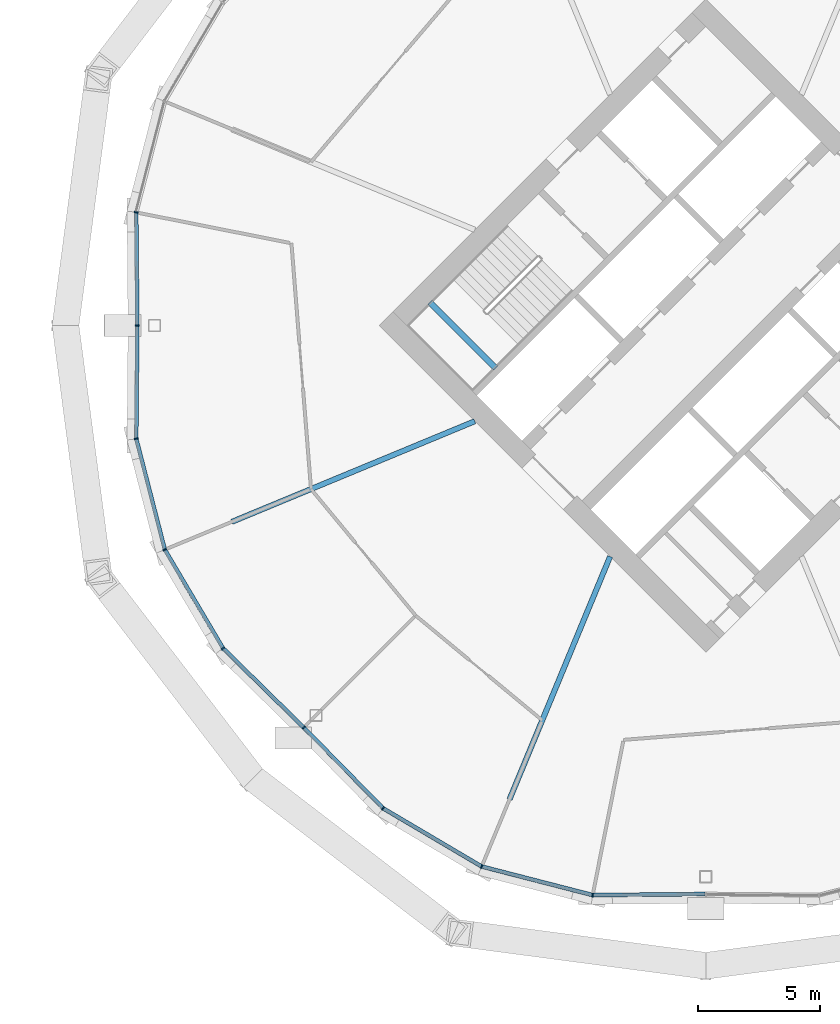
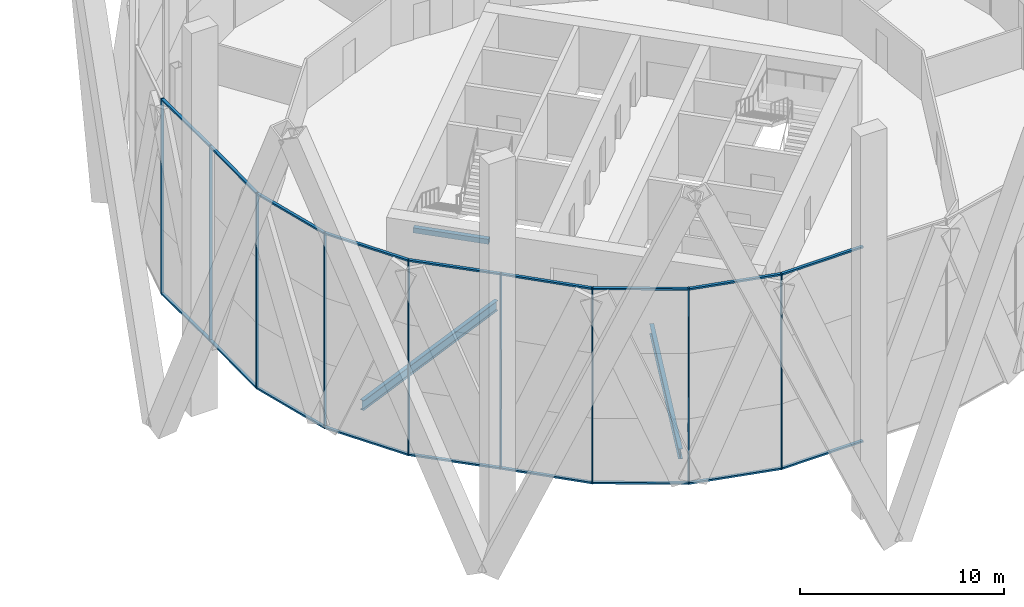
# One storey, part 9 of 26: 27 members, 3 beams, 3 elements without a shape of their own.
"""IFC4 building model written with IfcOpenShell, lengths in metres."""

import ifcopenshell
import ifcopenshell.guid

model = None  # the IFC model being written
_history = None  # IfcOwnerHistory: only IFC2X3 demands one
_inside = {}  # id of a spatial element -> (the spatial element, [elements in it])
_under = {}  # id of a project, library or spatial element -> (it, [spatial elements below it])
_declared = {}  # id of a project -> (the project, [libraries it declares])
_typed = {}  # id of a type object -> (the type object, [elements of that type])
_made_of = {}  # id of a material, layer set ... -> (it, [elements and type objects made of it])


def new_model(schema):
    """Start an empty IFC model of exactly this schema.

    Asked for "IFC4X3", IfcOpenShell would pick the latest addendum, in which some entities
    have other attributes; the version numbers below select the first issue.
    IFC2X3 requires an IfcOwnerHistory on every rooted entity: one is made here for all.
    """
    global model, _history
    if schema == "IFC4X3":
        model = ifcopenshell.file(schema_version=(4, 3, 0, 0))
    else:
        model = ifcopenshell.file(schema=schema)
    _inside.clear()
    _under.clear()
    _declared.clear()
    _typed.clear()
    _made_of.clear()
    _history = None
    if model.schema == "IFC2X3":
        org = make("IfcOrganization", Name="unknown")
        user = make(
            "IfcPersonAndOrganization",
            ThePerson=make("IfcPerson", FamilyName="unknown"),
            TheOrganization=org,
        )
        app = make(
            "IfcApplication",
            ApplicationDeveloper=org,
            Version="unknown",
            ApplicationFullName="unknown",
            ApplicationIdentifier="unknown",
        )
        _history = make(
            "IfcOwnerHistory",
            OwningUser=user,
            OwningApplication=app,
            ChangeAction="ADDED",
            CreationDate=0,
        )
    return model


def make(cls, **values):
    """One entity of the class cls with the attributes given. An attribute that is None is left unset."""
    return model.create_entity(
        cls, **{name: value for name, value in values.items() if value is not None}
    )


def rooted(cls, **values):
    """An entity with a GlobalId (a new one), such as an element, a storey or a relation."""
    return make(cls, GlobalId=ifcopenshell.guid.new(), OwnerHistory=_history, **values)


def si_unit(unit_type, name, prefix=None):
    """IfcSIUnit, for example si_unit("LENGTHUNIT", "METRE", prefix="MILLI")."""
    return make("IfcSIUnit", UnitType=unit_type, Prefix=prefix, Name=name)


def assignment(units):
    """IfcUnitAssignment: the units of a project."""
    return None if units is None else make("IfcUnitAssignment", Units=units)


def point(xyz):
    """IfcCartesianPoint."""
    return None if xyz is None else make("IfcCartesianPoint", Coordinates=xyz)


def direction(xyz):
    """IfcDirection."""
    return None if xyz is None else make("IfcDirection", DirectionRatios=xyz)


def frame(location, z_axis=None, x_axis=None):
    """IfcAxis2Placement3D, a coordinate frame: its origin and axes. An axis left out is left unset."""
    return make(
        "IfcAxis2Placement3D",
        Location=point(location),
        Axis=direction(z_axis),
        RefDirection=direction(x_axis),
    )


def frame_2d(location, x_axis=None):
    """IfcAxis2Placement2D, a coordinate frame in the plane: its origin and x axis."""
    return make(
        "IfcAxis2Placement2D", Location=point(location), RefDirection=direction(x_axis)
    )


def origin():
    """The frame at (0, 0, 0) with its axes left unset."""
    return frame((0.0, 0.0, 0.0))


def origin_2d():
    """The frame at (0, 0) in the plane with its x axis left unset."""
    return frame_2d((0.0, 0.0))


def place(relative_to, where):
    """IfcLocalPlacement: puts the frame where relative to a parent placement (None: the world)."""
    return make(
        "IfcLocalPlacement", PlacementRelTo=relative_to, RelativePlacement=where
    )


def context(
    kind, dimensions, precision=None, world=None, true_north=None, identifier=None
):
    """IfcGeometricRepresentationContext, for example the 3D "Model" context."""
    return make(
        "IfcGeometricRepresentationContext",
        ContextIdentifier=identifier,
        ContextType=kind,
        CoordinateSpaceDimension=dimensions,
        Precision=precision,
        WorldCoordinateSystem=world,
        TrueNorth=true_north,
    )


def subcontext(parent, identifier, kind, view, scale=None):
    """IfcGeometricRepresentationSubContext, for example "Body" below "Model"."""
    return make(
        "IfcGeometricRepresentationSubContext",
        ContextIdentifier=identifier,
        ContextType=kind,
        ParentContext=parent,
        TargetScale=scale,
        TargetView=view,
    )


def project(units=None, contexts=None):
    """IfcProject with its units and contexts."""
    return rooted(
        "IfcProject",
        Name="project",
        RepresentationContexts=contexts,
        UnitsInContext=assignment(units),
    )


def spatial(cls, under=None, at=None, **own):
    """A site, building, storey or space (cls), placed at a placement, below another one or the project."""
    s = rooted(cls, ObjectPlacement=at, **own)
    if under is not None:
        _under.setdefault(under.id(), (under, []))[1].append(s)
    return s


def profile(cls, at=None, kind="AREA", **sizes):
    """A parametric profile (cls). Its sizes go by their IFC names, for example OverallWidth=200.0."""
    return make(cls, ProfileType=kind, Position=at, **sizes)


def rectangle(**sizes):
    """IfcRectangleProfileDef."""
    return profile("IfcRectangleProfileDef", **sizes)


def i_section(**sizes):
    """IfcIShapeProfileDef."""
    return profile("IfcIShapeProfileDef", **sizes)


def extrude(swept, where, along, depth):
    """IfcExtrudedAreaSolid: the profile swept, set in the frame where, extruded along a direction by depth."""
    return make(
        "IfcExtrudedAreaSolid",
        SweptArea=swept,
        Position=where,
        ExtrudedDirection=direction(along),
        Depth=depth,
    )


def shape(context_of_items, identifier, shape_type, items):
    """IfcShapeRepresentation: the items that make up one representation, for example the "Body"."""
    return make(
        "IfcShapeRepresentation",
        ContextOfItems=context_of_items,
        RepresentationIdentifier=identifier,
        RepresentationType=shape_type,
        Items=items,
    )


def material(Name=None, Category=None):
    """IfcMaterial."""
    return make("IfcMaterial", Name=Name, Category=Category)


def material_profile(
    of_material, cross_section, Name=None, Category=None, Priority=None
):
    """IfcMaterialProfile: a cross section and its material."""
    return make(
        "IfcMaterialProfile",
        Name=Name,
        Material=of_material,
        Profile=cross_section,
        Priority=Priority,
        Category=Category,
    )


def profile_set(profiles, Name=None, composite=None):
    """IfcMaterialProfileSet."""
    return make(
        "IfcMaterialProfileSet",
        Name=Name,
        MaterialProfiles=profiles,
        CompositeProfile=composite,
    )


def made_of(thing, what):
    """Note that an element or type object is made of a material, layer set ...; save() writes the relation."""
    if what is not None:
        _made_of.setdefault(what.id(), (what, []))[1].append(thing)
    return thing


def type_object(cls, material=None, **own):
    """A type object (cls), such as IfcWallType, which elements share."""
    return made_of(rooted(cls, **own), material)


def element(
    cls,
    number,
    at=None,
    inside=None,
    cuts=None,
    type_object=None,
    material=None,
    context=None,
    identifier="Body",
    shape_type=None,
    held_by="IfcProductDefinitionShape",
    body=None,
    shapes=None,
    **own,
):
    """One element of the class cls, such as IfcWall. Its Tag is "e" and its number.

    at: its placement. inside: the storey or other place that contains it. cuts: it is an
    opening in that element (IfcRelVoidsElement). A single representation is given by context,
    identifier, shape_type and body (its items); several are given by shapes. held_by: the class
    of the entity that holds the representations. save() writes the other relations.
    """
    e = rooted(cls, Tag="e%d" % number, ObjectPlacement=at, **own)
    if body is not None:
        shapes = [shape(context, identifier, shape_type, body)]
    if shapes is not None:
        e.Representation = make(held_by, Representations=shapes)
    if inside is not None:
        _inside.setdefault(inside.id(), (inside, []))[1].append(e)
    if cuts is not None:
        rooted(
            "IfcRelVoidsElement", RelatingBuildingElement=cuts, RelatedOpeningElement=e
        )
    if type_object is not None:
        _typed.setdefault(type_object.id(), (type_object, []))[1].append(e)
    return made_of(e, material)


def aggregate(whole, parts):
    """IfcRelAggregates: a whole, such as a stair, and the parts it consists of."""
    return rooted("IfcRelAggregates", RelatingObject=whole, RelatedObjects=parts)


def save(model, path):
    """Write the relations noted so far, then the file.

    IfcRelAggregates (storeys below a building ...), IfcRelContainedInSpatialStructure (elements
    in a storey), IfcRelDefinesByType, IfcRelAssociatesMaterial and IfcRelDeclares: one each for
    every whole, place, type object, material and project.
    """
    for whole, parts in _under.values():
        aggregate(whole, parts)
    for where, things in _inside.values():
        rooted(
            "IfcRelContainedInSpatialStructure",
            RelatedElements=things,
            RelatingStructure=where,
        )
    for kind, things in _typed.values():
        rooted("IfcRelDefinesByType", RelatedObjects=things, RelatingType=kind)
    for what, things in _made_of.values():
        rooted("IfcRelAssociatesMaterial", RelatedObjects=things, RelatingMaterial=what)
    for by, libraries in _declared.values():
        rooted("IfcRelDeclares", RelatingContext=by, RelatedDefinitions=libraries)
    model.write(path)


model = new_model("IFC4")

# Units and contexts
model_context = context("Model", 3, precision=1e-05, world=origin(), true_north=direction((0.0, 1.0)))
body_context = subcontext(model_context, "Body", "Model", "MODEL_VIEW")
ifc_project = project(units=[si_unit("LENGTHUNIT", "METRE"), si_unit("AREAUNIT", "SQUARE_METRE"), si_unit("VOLUMEUNIT", "CUBIC_METRE"), si_unit("PLANEANGLEUNIT", "RADIAN"), si_unit("MASSUNIT", "GRAM", prefix="KILO")], contexts=[model_context])

# Site, building, storey
site_placement = place(None, origin())
site = spatial("IfcSite", under=ifc_project, at=site_placement, CompositionType="ELEMENT")
building_placement = place(site_placement, origin())
building = spatial("IfcBuilding", under=site, at=building_placement, Name="Ogive Gate Towers", CompositionType="ELEMENT")
storey_placement = place(building_placement, frame((0.0, 0.0, 76.199951171875)))
storey = spatial("IfcBuildingStorey", under=building, at=storey_placement, Name="L17", CompositionType="ELEMENT", Elevation=76.199951171875)

# Beams
ifc_material_1 = material(Name="Concrete C40/50", Category="concrete")
ifc_material_profile_1 = material_profile(ifc_material_1, rectangle(XDim=0.25, YDim=0.300048828125, at=origin_2d()), Name="RC 250x300")
ifc_profile_set_1 = profile_set([ifc_material_profile_1], Name="Concrete C40/50")
beam_type_1 = type_object("IfcBeamType", Name="Landing bearer RC 250x300", PredefinedType="BEAM", material=ifc_profile_set_1)
beam_placement = place(storey_placement, frame((24.650390625, 0.9541015625, 1.60009765625), z_axis=(0.707106781187, -0.707106781187, 0.0), x_axis=(0.707106781187, 0.707106781187, 0.0)))
element("IfcBeam", 1, at=beam_placement, inside=storey, type_object=beam_type_1, Name="T2 L17 stair 1 landing bearer 1", PredefinedType="BEAM", context=body_context, shape_type="SweptSolid", body=[
    extrude(rectangle(XDim=0.25, YDim=0.300048828125, at=origin_2d()), origin(), (0.0, 0.0, 1.0), 3.824951171875),
])
ifc_material_2 = material(Name="Steel SM355", Category="steel")
ifc_material_profile_2 = material_profile(ifc_material_2, i_section(OverallWidth=0.219970703125, OverallDepth=0.60009765625, WebThickness=0.011962890625, FlangeThickness=0.01904296875, FilletRadius=0.02392578125, at=origin_2d()), Name="IPE 600")
ifc_profile_set_2 = profile_set([ifc_material_profile_2], Name="Steel SM355")
beam_type_2 = type_object("IfcBeamType", Name="Radial floor beam IPE 600", PredefinedType="BEAM", material=ifc_profile_set_2)
for number, where, z_axis, x_axis, name in (
    (2, (32.06494140625, -9.5, -0.599853515625), (-0.382675609774, -0.923882772696, 0.0), (0.923882772696, -0.382675609774, 0.0), "T2/L17/SBM001"),
    (3, (26.5, -3.93505859375, -0.599853515625), (-0.923882772696, -0.382675609774, 0.0), (0.382675609774, -0.923882772696, 0.0), "T2/L17/SBM008"),
):
    element("IfcBeam", number, at=place(storey_placement, frame(where, z_axis=z_axis, x_axis=x_axis)), inside=storey, type_object=beam_type_2, Name=name, PredefinedType="BEAM", context=body_context, shape_type="SweptSolid", body=[
        extrude(i_section(OverallWidth=0.219970703125, OverallDepth=0.60009765625, WebThickness=0.011962890625, FlangeThickness=0.01904296875, FilletRadius=0.02392578125, at=origin_2d()), origin(), (0.0, 0.0, 1.0), 10.809326171875),
    ])

# Curtain wall, members
ifc_material_3 = material(Name="Pale metal aluminium", Category="aluminium")
curtain_wall_type = type_object("IfcCurtainWallType", Name="Tower unitised wall, low zone", PredefinedType="NOTDEFINED", material=ifc_material_3)
curtain_wall_1_placement = place(storey_placement, origin())
curtain_wall_1 = element("IfcCurtainWall", 4, at=curtain_wall_1_placement, inside=storey, type_object=curtain_wall_type, Name="CW1 T2 ECW04", PredefinedType="NOTDEFINED")
ifc_material_profile_3 = material_profile(ifc_material_3, rectangle(XDim=0.159912109375, YDim=0.06005859375, at=origin_2d()), Name="60 x 160 aluminium box")
ifc_profile_set_3 = profile_set([ifc_material_profile_3], Name="Pale metal aluminium")
member_type_1 = type_object("IfcMemberType", Name="Tower unitised wall, low zone mullion 60 x 160", PredefinedType="MULLION", material=ifc_profile_set_3)
member_1_placement = place(storey_placement, frame((12.5771484375, 4.653076171875, -0.300048828125), z_axis=(0.0, 0.0, 1.0), x_axis=(-0.992635219858, 0.121141736398, 0.0)))
member_1 = element("IfcMember", 5, at=member_1_placement, type_object=member_type_1, Name="CW1 mullion", PredefinedType="MULLION", context=body_context, shape_type="SweptSolid", body=[
    extrude(rectangle(XDim=0.159912109375, YDim=0.06005859375, at=origin_2d()), origin(), (0.0, 0.0, 1.0), 11.7001953125),
])
member_2_placement = place(storey_placement, frame((12.6201171875, 0.000244140625, -0.300048828125), z_axis=(0.0, 0.0, 1.0), x_axis=(-0.999957699753, -0.009197755467, 0.0)))
member_2 = element("IfcMember", 6, at=member_2_placement, type_object=member_type_1, Name="CW1 mullion", PredefinedType="MULLION", context=body_context, shape_type="SweptSolid", body=[
    extrude(rectangle(XDim=0.159912109375, YDim=0.06005859375, at=origin_2d()), origin(), (0.0, 0.0, 1.0), 11.7001953125),
])

curtain_wall_2_placement = place(storey_placement, origin())
curtain_wall_2 = element("IfcCurtainWall", 7, at=curtain_wall_2_placement, inside=storey, type_object=curtain_wall_type, Name="CW1 T2 ECW05", PredefinedType="NOTDEFINED")
member_3_placement = place(storey_placement, frame((12.5771484375, -4.653076171875, -0.300048828125), z_axis=(0.0, 0.0, 1.0), x_axis=(-0.992635219858, -0.121141736398, 0.0)))
member_3 = element("IfcMember", 8, at=member_3_placement, type_object=member_type_1, Name="CW1 mullion", PredefinedType="MULLION", context=body_context, shape_type="SweptSolid", body=[
    extrude(rectangle(XDim=0.159912109375, YDim=0.06005859375, at=origin_2d()), origin(), (0.0, 0.0, 1.0), 11.7001953125),
])
member_4_placement = place(storey_placement, frame((13.752197265625, -9.21533203125, -0.300048828125), z_axis=(0.0, 0.0, 1.0), x_axis=(-0.923879532511, -0.382683432365, 0.0)))
member_4 = element("IfcMember", 9, at=member_4_placement, type_object=member_type_1, Name="CW1 mullion", PredefinedType="MULLION", context=body_context, shape_type="SweptSolid", body=[
    extrude(rectangle(XDim=0.159912109375, YDim=0.06005859375, at=origin_2d()), origin(), (0.0, 0.0, 1.0), 11.7001953125),
])
member_5_placement = place(storey_placement, frame((16.1474609375, -13.2724609375, -0.300048828125), z_axis=(0.0, 0.0, 1.0), x_axis=(-0.787559238498, -0.616238951915, 0.0)))
member_5 = element("IfcMember", 10, at=member_5_placement, type_object=member_type_1, Name="CW1 mullion", PredefinedType="MULLION", context=body_context, shape_type="SweptSolid", body=[
    extrude(rectangle(XDim=0.159912109375, YDim=0.06005859375, at=origin_2d()), origin(), (0.0, 0.0, 1.0), 11.7001953125),
])
member_6_placement = place(storey_placement, frame((19.4677734375, -16.531982421875, -0.300048828125), z_axis=(0.0, 0.0, 1.0), x_axis=(-0.700585529358, -0.713568438241, 0.0)))
member_6 = element("IfcMember", 11, at=member_6_placement, type_object=member_type_1, Name="CW1 mullion", PredefinedType="MULLION", context=body_context, shape_type="SweptSolid", body=[
    extrude(rectangle(XDim=0.159912109375, YDim=0.06005859375, at=origin_2d()), origin(), (0.0, 0.0, 1.0), 11.7001953125),
])

curtain_wall_3_placement = place(storey_placement, origin())
curtain_wall_3 = element("IfcCurtainWall", 12, at=curtain_wall_3_placement, inside=storey, type_object=curtain_wall_type, Name="CW1 T2 ECW06", PredefinedType="NOTDEFINED")
member_7_placement = place(storey_placement, frame((22.7275390625, -19.8525390625, -0.300048828125), z_axis=(0.0, 0.0, 1.0), x_axis=(-0.616238951915, -0.787559238498, 0.0)))
member_7 = element("IfcMember", 13, at=member_7_placement, type_object=member_type_1, Name="CW1 mullion", PredefinedType="MULLION", context=body_context, shape_type="SweptSolid", body=[
    extrude(rectangle(XDim=0.159912109375, YDim=0.06005859375, at=origin_2d()), origin(), (0.0, 0.0, 1.0), 11.7001953125),
])
member_8_placement = place(storey_placement, frame((26.78466796875, -22.247802734375, -0.300048828125), z_axis=(0.0, 0.0, 1.0), x_axis=(-0.382683432365, -0.923879532511, 0.0)))
member_8 = element("IfcMember", 14, at=member_8_placement, type_object=member_type_1, Name="CW1 mullion", PredefinedType="MULLION", context=body_context, shape_type="SweptSolid", body=[
    extrude(rectangle(XDim=0.159912109375, YDim=0.06005859375, at=origin_2d()), origin(), (0.0, 0.0, 1.0), 11.7001953125),
])
member_9_placement = place(storey_placement, frame((31.346923828125, -23.4228515625, -0.300048828125), z_axis=(0.0, 0.0, 1.0), x_axis=(-0.121141736398, -0.992635219858, 0.0)))
member_9 = element("IfcMember", 15, at=member_9_placement, type_object=member_type_1, Name="CW1 mullion", PredefinedType="MULLION", context=body_context, shape_type="SweptSolid", body=[
    extrude(rectangle(XDim=0.159912109375, YDim=0.06005859375, at=origin_2d()), origin(), (0.0, 0.0, 1.0), 11.7001953125),
])

# Member
ifc_material_profile_4 = material_profile(ifc_material_3, rectangle(XDim=0.159912109375, YDim=0.10009765625, at=origin_2d()), Name="100 x 160 aluminium box")
ifc_profile_set_4 = profile_set([ifc_material_profile_4], Name="Pale metal aluminium")
member_type_2 = type_object("IfcMemberType", Name="Tower unitised wall, low zone transom 100 x 160", PredefinedType="USERDEFINED", material=ifc_profile_set_4)
member_10_placement = place(storey_placement, frame((12.577392578125, 4.62548828125, 11.35009765625), z_axis=(0.009190983574, -0.999957762018, 0.0), x_axis=(0.999957762018, 0.009190983574, 0.0)))
member_10 = element("IfcMember", 16, at=member_10_placement, type_object=member_type_2, Name="CW1 transom", ObjectType="TRANSOM", PredefinedType="USERDEFINED", context=body_context, shape_type="SweptSolid", body=[
    extrude(rectangle(XDim=0.159912109375, YDim=0.10009765625, at=origin_2d()), origin(), (0.0, 0.0, 1.0), 4.595458984375),
])

member_11_placement = place(storey_placement, frame((12.577392578125, 4.62548828125, -0.25), z_axis=(0.009190983574, -0.999957762018, 0.0), x_axis=(0.999957762018, 0.009190983574, 0.0)))
member_11 = element("IfcMember", 17, at=member_11_placement, type_object=member_type_2, Name="CW1 transom", ObjectType="TRANSOM", PredefinedType="USERDEFINED", context=body_context, shape_type="SweptSolid", body=[
    extrude(rectangle(XDim=0.159912109375, YDim=0.10009765625, at=origin_2d()), origin(), (0.0, 0.0, 1.0), 4.595458984375),
])

aggregate(curtain_wall_1, [member_1, member_2, member_10, member_11])

member_12_placement = place(storey_placement, frame((12.61962890625, -0.0302734375, 11.35009765625), z_axis=(-0.009190983574, -0.999957762018, 0.0), x_axis=(0.999957762018, -0.009190983574, 0.0)))
member_12 = element("IfcMember", 18, at=member_12_placement, type_object=member_type_2, Name="CW1 transom", ObjectType="TRANSOM", PredefinedType="USERDEFINED", context=body_context, shape_type="SweptSolid", body=[
    extrude(rectangle(XDim=0.159912109375, YDim=0.10009765625, at=origin_2d()), origin(), (0.0, 0.0, 1.0), 4.595458984375),
])

member_13_placement = place(storey_placement, frame((12.61962890625, -0.0302734375, -0.25), z_axis=(-0.009190983574, -0.999957762018, 0.0), x_axis=(0.999957762018, -0.009190983574, 0.0)))
member_13 = element("IfcMember", 19, at=member_13_placement, type_object=member_type_2, Name="CW1 transom", ObjectType="TRANSOM", PredefinedType="USERDEFINED", context=body_context, shape_type="SweptSolid", body=[
    extrude(rectangle(XDim=0.159912109375, YDim=0.10009765625, at=origin_2d()), origin(), (0.0, 0.0, 1.0), 4.595458984375),
])

member_14_placement = place(storey_placement, frame((12.583984375, -4.679443359375, 11.35009765625), z_axis=(0.249437215612, -0.968390972422, 0.0), x_axis=(0.968390972422, 0.249437215612, 0.0)))
member_14 = element("IfcMember", 20, at=member_14_placement, type_object=member_type_2, Name="CW1 transom", ObjectType="TRANSOM", PredefinedType="USERDEFINED", context=body_context, shape_type="SweptSolid", body=[
    extrude(rectangle(XDim=0.159912109375, YDim=0.10009765625, at=origin_2d()), origin(), (0.0, 0.0, 1.0), 4.656982421875),
])

member_15_placement = place(storey_placement, frame((12.583984375, -4.679443359375, -0.25), z_axis=(0.249437215612, -0.968390972422, 0.0), x_axis=(0.968390972422, 0.249437215612, 0.0)))
member_15 = element("IfcMember", 21, at=member_15_placement, type_object=member_type_2, Name="CW1 transom", ObjectType="TRANSOM", PredefinedType="USERDEFINED", context=body_context, shape_type="SweptSolid", body=[
    extrude(rectangle(XDim=0.159912109375, YDim=0.10009765625, at=origin_2d()), origin(), (0.0, 0.0, 1.0), 4.656982421875),
])

member_16_placement = place(storey_placement, frame((13.76611328125, -9.23876953125, 11.35009765625), z_axis=(0.508391904902, -0.861125816028, 0.0), x_axis=(0.861125816028, 0.508391904902, 0.0)))
member_16 = element("IfcMember", 22, at=member_16_placement, type_object=member_type_2, Name="CW1 transom", ObjectType="TRANSOM", PredefinedType="USERDEFINED", context=body_context, shape_type="SweptSolid", body=[
    extrude(rectangle(XDim=0.159912109375, YDim=0.10009765625, at=origin_2d()), origin(), (0.0, 0.0, 1.0), 4.65673828125),
])

member_17_placement = place(storey_placement, frame((13.76611328125, -9.23876953125, -0.25), z_axis=(0.508391904902, -0.861125816028, 0.0), x_axis=(0.861125816028, 0.508391904902, 0.0)))
member_17 = element("IfcMember", 23, at=member_17_placement, type_object=member_type_2, Name="CW1 transom", ObjectType="TRANSOM", PredefinedType="USERDEFINED", context=body_context, shape_type="SweptSolid", body=[
    extrude(rectangle(XDim=0.159912109375, YDim=0.10009765625, at=origin_2d()), origin(), (0.0, 0.0, 1.0), 4.65673828125),
])

member_18_placement = place(storey_placement, frame((16.1669921875, -13.29150390625, 11.35009765625), z_axis=(0.713584733888, -0.700568931342, 0.0), x_axis=(0.700568931342, 0.713584733888, 0.0)))
member_18 = element("IfcMember", 24, at=member_18_placement, type_object=member_type_2, Name="CW1 transom", ObjectType="TRANSOM", PredefinedType="USERDEFINED", context=body_context, shape_type="SweptSolid", body=[
    extrude(rectangle(XDim=0.159912109375, YDim=0.10009765625, at=origin_2d()), origin(), (0.0, 0.0, 1.0), 4.595458984375),
])

member_19_placement = place(storey_placement, frame((16.1669921875, -13.29150390625, -0.25), z_axis=(0.713584733888, -0.700568931342, 0.0), x_axis=(0.700568931342, 0.713584733888, 0.0)))
member_19 = element("IfcMember", 25, at=member_19_placement, type_object=member_type_2, Name="CW1 transom", ObjectType="TRANSOM", PredefinedType="USERDEFINED", context=body_context, shape_type="SweptSolid", body=[
    extrude(rectangle(XDim=0.159912109375, YDim=0.10009765625, at=origin_2d()), origin(), (0.0, 0.0, 1.0), 4.595458984375),
])

aggregate(curtain_wall_2, [member_3, member_12, member_13, member_4, member_14, member_15, member_5, member_16, member_17, member_6, member_18, member_19])

member_20_placement = place(storey_placement, frame((19.489013671875, -16.5537109375, 11.35009765625), z_axis=(0.700568931342, -0.713584733888, 0.0), x_axis=(0.713584733888, 0.700568931342, 0.0)))
member_20 = element("IfcMember", 26, at=member_20_placement, type_object=member_type_2, Name="CW1 transom", ObjectType="TRANSOM", PredefinedType="USERDEFINED", context=body_context, shape_type="SweptSolid", body=[
    extrude(rectangle(XDim=0.159912109375, YDim=0.10009765625, at=origin_2d()), origin(), (0.0, 0.0, 1.0), 4.595458984375),
])

member_21_placement = place(storey_placement, frame((19.489013671875, -16.5537109375, -0.25), z_axis=(0.700568931342, -0.713584733888, 0.0), x_axis=(0.713584733888, 0.700568931342, 0.0)))
member_21 = element("IfcMember", 27, at=member_21_placement, type_object=member_type_2, Name="CW1 transom", ObjectType="TRANSOM", PredefinedType="USERDEFINED", context=body_context, shape_type="SweptSolid", body=[
    extrude(rectangle(XDim=0.159912109375, YDim=0.10009765625, at=origin_2d()), origin(), (0.0, 0.0, 1.0), 4.595458984375),
])

member_22_placement = place(storey_placement, frame((22.751220703125, -19.866455078125, 11.35009765625), z_axis=(0.861125816028, -0.508391904902, 0.0), x_axis=(0.508391904902, 0.861125816028, 0.0)))
member_22 = element("IfcMember", 28, at=member_22_placement, type_object=member_type_2, Name="CW1 transom", ObjectType="TRANSOM", PredefinedType="USERDEFINED", context=body_context, shape_type="SweptSolid", body=[
    extrude(rectangle(XDim=0.159912109375, YDim=0.10009765625, at=origin_2d()), origin(), (0.0, 0.0, 1.0), 4.65673828125),
])

member_23_placement = place(storey_placement, frame((22.751220703125, -19.866455078125, -0.25), z_axis=(0.861125816028, -0.508391904902, 0.0), x_axis=(0.508391904902, 0.861125816028, 0.0)))
member_23 = element("IfcMember", 29, at=member_23_placement, type_object=member_type_2, Name="CW1 transom", ObjectType="TRANSOM", PredefinedType="USERDEFINED", context=body_context, shape_type="SweptSolid", body=[
    extrude(rectangle(XDim=0.159912109375, YDim=0.10009765625, at=origin_2d()), origin(), (0.0, 0.0, 1.0), 4.65673828125),
])

member_24_placement = place(storey_placement, frame((26.810791015625, -22.25439453125, 11.35009765625), z_axis=(0.968390972422, -0.249437215612, 0.0), x_axis=(0.249437215612, 0.968390972422, 0.0)))
member_24 = element("IfcMember", 30, at=member_24_placement, type_object=member_type_2, Name="CW1 transom", ObjectType="TRANSOM", PredefinedType="USERDEFINED", context=body_context, shape_type="SweptSolid", body=[
    extrude(rectangle(XDim=0.159912109375, YDim=0.10009765625, at=origin_2d()), origin(), (0.0, 0.0, 1.0), 4.656982421875),
])

member_25_placement = place(storey_placement, frame((26.810791015625, -22.25439453125, -0.25), z_axis=(0.968390972422, -0.249437215612, 0.0), x_axis=(0.249437215612, 0.968390972422, 0.0)))
member_25 = element("IfcMember", 31, at=member_25_placement, type_object=member_type_2, Name="CW1 transom", ObjectType="TRANSOM", PredefinedType="USERDEFINED", context=body_context, shape_type="SweptSolid", body=[
    extrude(rectangle(XDim=0.159912109375, YDim=0.10009765625, at=origin_2d()), origin(), (0.0, 0.0, 1.0), 4.656982421875),
])

member_26_placement = place(storey_placement, frame((31.37451171875, -23.422607421875, 11.35009765625), z_axis=(0.999957762018, 0.009190983574, 0.0), x_axis=(-0.009190983574, 0.999957762018, 0.0)))
member_26 = element("IfcMember", 32, at=member_26_placement, type_object=member_type_2, Name="CW1 transom", ObjectType="TRANSOM", PredefinedType="USERDEFINED", context=body_context, shape_type="SweptSolid", body=[
    extrude(rectangle(XDim=0.159912109375, YDim=0.10009765625, at=origin_2d()), origin(), (0.0, 0.0, 1.0), 4.595458984375),
])

member_27_placement = place(storey_placement, frame((31.37451171875, -23.422607421875, -0.25), z_axis=(0.999957762018, 0.009190983574, 0.0), x_axis=(-0.009190983574, 0.999957762018, 0.0)))
member_27 = element("IfcMember", 33, at=member_27_placement, type_object=member_type_2, Name="CW1 transom", ObjectType="TRANSOM", PredefinedType="USERDEFINED", context=body_context, shape_type="SweptSolid", body=[
    extrude(rectangle(XDim=0.159912109375, YDim=0.10009765625, at=origin_2d()), origin(), (0.0, 0.0, 1.0), 4.595458984375),
])

aggregate(curtain_wall_3, [member_7, member_20, member_21, member_8, member_22, member_23, member_9, member_24, member_25, member_26, member_27])

save(model, "model.ifc")
